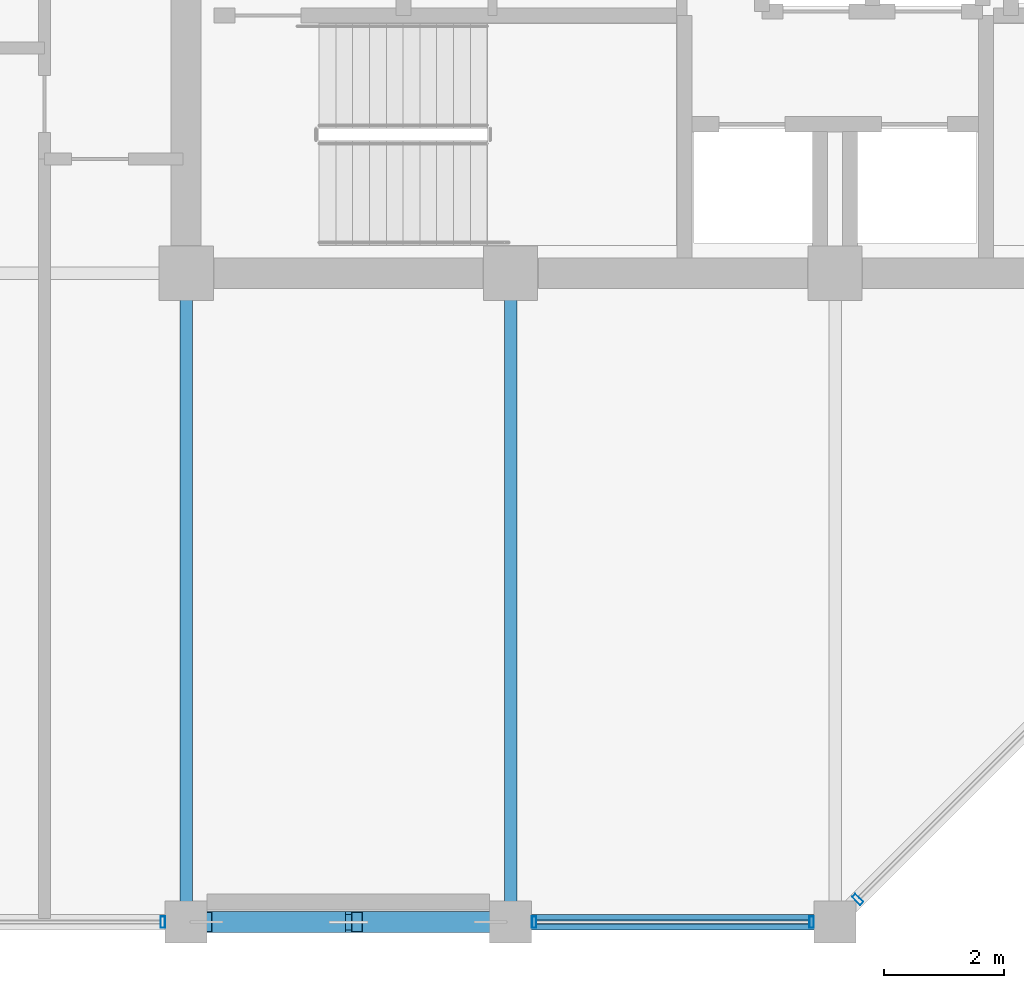
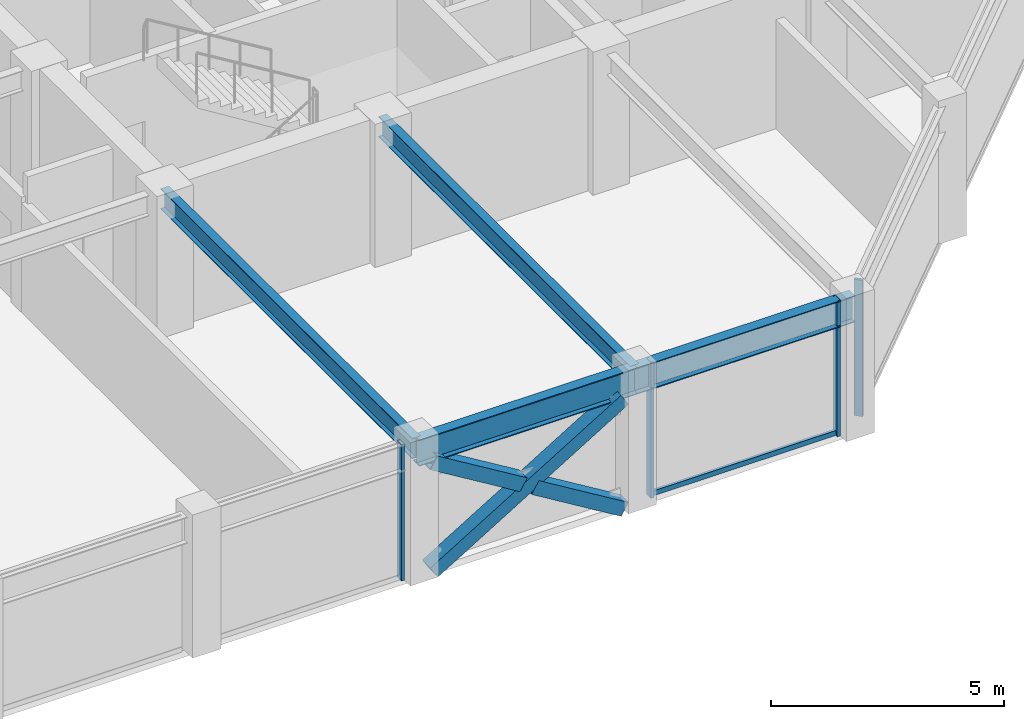
# One storey, part 6 of 30: 8 members, 4 beams, 3 elements without a shape of their own.
"""IFC4 building model written with IfcOpenShell, lengths in metres."""

from ifc_helpers import new_model, si_unit, direction, frame, origin, origin_2d, place, context, subcontext, project, spatial, hollow_rectangle, i_section, extrude, material, layer, layer_set, material_profile, profile_set, type_object, element, aggregate, save


model = new_model("IFC4")

# Units and contexts
model_context = context("Model", 3, precision=1e-05, world=origin(), true_north=direction((0.0, 1.0)))
body_context = subcontext(model_context, "Body", "Model", "MODEL_VIEW")
ifc_project = project(units=[si_unit("LENGTHUNIT", "METRE"), si_unit("AREAUNIT", "SQUARE_METRE"), si_unit("VOLUMEUNIT", "CUBIC_METRE"), si_unit("PLANEANGLEUNIT", "RADIAN"), si_unit("MASSUNIT", "GRAM", prefix="KILO")], contexts=[model_context])

# Site, building, storey
site_placement = place(None, origin())
site = spatial("IfcSite", under=ifc_project, at=site_placement, CompositionType="ELEMENT")
building_placement = place(site_placement, origin())
building = spatial("IfcBuilding", under=site, at=building_placement, Name="Surkhivell Harbour Commons", CompositionType="ELEMENT")
storey_placement = place(building_placement, frame((0.0, 0.0, 303.75)))
storey = spatial("IfcBuildingStorey", under=building, at=storey_placement, Name="L79", CompositionType="ELEMENT", Elevation=303.75)

# Beams
ifc_material_1 = material(Name="Steel S355", Category="steel")
ifc_material_profile_1 = material_profile(ifc_material_1, i_section(OverallWidth=0.2099609375, OverallDepth=0.537109375, WebThickness=0.0107421875, FlangeThickness=0.017333984375, at=origin_2d()), Name="UB533x210x101")
ifc_profile_set_1 = profile_set([ifc_material_profile_1], Name="Steel S355")
beam_type_1 = type_object("IfcBeamType", Name="BM-GRD-533B", PredefinedType="BEAM", material=ifc_profile_set_1)
for number, where, z_axis, x_axis, name in (
    (1, (-10.800048828125, -21.60009765625, 3.301513671875), (0.0, 1.0, 0.0), (-1.0, 0.0, 0.0), "L79 Floor Girder (-10.8,-21.6)"),
    (2, (-5.39990234375, -21.60009765625, 3.301513671875), (0.0, 1.0, 0.0), (-1.0, 0.0, 0.0), "L79 Floor Girder (-5.4,-21.6)"),
):
    element("IfcBeam", number, at=place(storey_placement, frame(where, z_axis=z_axis, x_axis=x_axis)), inside=storey, type_object=beam_type_1, Name=name, PredefinedType="BEAM", context=body_context, shape_type="SweptSolid", body=[
        extrude(i_section(OverallWidth=0.2099609375, OverallDepth=0.537109375, WebThickness=0.0107421875, FlangeThickness=0.017333984375, at=origin_2d()), origin(), (0.0, 0.0, 1.0), 10.800048828125),
    ])
ifc_material_profile_2 = material_profile(ifc_material_1, i_section(OverallWidth=0.256103515625, OverallDepth=0.693115234375, WebThickness=0.014404296875, FlangeThickness=0.023681640625, at=origin_2d()), Name="UB686x254x170")
ifc_profile_set_2 = profile_set([ifc_material_profile_2], Name="Steel S355")
beam_type_2 = type_object("IfcBeamType", Name="BM-SPN-686", PredefinedType="SPANDREL", material=ifc_profile_set_2)
beam_1_placement = place(storey_placement, frame((-10.800048828125, -21.60009765625, 3.223388671875), z_axis=(1.0, 0.0, 0.0), x_axis=(0.0, 1.0, 0.0)))
element("IfcBeam", 3, at=beam_1_placement, inside=storey, type_object=beam_type_2, Name="L79 Tube Spandrel (-10.8,-21.6)", PredefinedType="SPANDREL", context=body_context, shape_type="SweptSolid", body=[
    extrude(i_section(OverallWidth=0.256103515625, OverallDepth=0.693115234375, WebThickness=0.014404296875, FlangeThickness=0.023681640625, at=origin_2d()), origin(), (0.0, 0.0, 1.0), 5.400146484375),
])
beam_2_placement = place(storey_placement, frame((-5.39990234375, -21.60009765625, 3.223388671875), z_axis=(1.0, 0.0, 0.0), x_axis=(0.0, 1.0, 0.0)))
element("IfcBeam", 4, at=beam_2_placement, inside=storey, type_object=beam_type_2, Name="L79 Tube Spandrel (-5.4,-21.6)", PredefinedType="SPANDREL", context=body_context, shape_type="SweptSolid", body=[
    extrude(i_section(OverallWidth=0.256103515625, OverallDepth=0.693115234375, WebThickness=0.014404296875, FlangeThickness=0.023681640625, at=origin_2d()), origin(), (0.0, 0.0, 1.0), 5.39990234375),
])

# Curtain wall, member
ifc_material_2 = material(Name="Anodised pale-metal aluminium and insulated glazing", Category="aluminium")
ifc_layer = layer(ifc_material_2, 0.175048828125)
ifc_layer_set = layer_set([ifc_layer], Name="Anodised pale-metal aluminium and insulated glazing")
curtain_wall_type = type_object("IfcCurtainWallType", Name="CW-SYS-Z4", PredefinedType="NOTDEFINED", material=ifc_layer_set)
curtain_wall_1_placement = place(storey_placement, origin())
curtain_wall_1 = element("IfcCurtainWall", 5, at=curtain_wall_1_placement, inside=storey, type_object=curtain_wall_type, Name="L79 Curtain Wall CW-L79-E00S1", PredefinedType="NOTDEFINED")
ifc_material_3 = material(Name="Anodised pale-metal aluminium alloy 6063-T6", Category="aluminium")
ifc_material_profile_3 = material_profile(ifc_material_3, hollow_rectangle(XDim=0.074951171875, YDim=0.18994140625, WallThickness=0.00390625, at=origin_2d()), Name="ALU-MULL-75x190")
ifc_profile_set_3 = profile_set([ifc_material_profile_3], Name="Anodised pale-metal aluminium alloy 6063-T6")
member_type_1 = type_object("IfcMemberType", Name="CWM-190", PredefinedType="MULLION", material=ifc_profile_set_3)
member_1_placement = place(storey_placement, frame((-11.189453125, -21.60009765625, 0.0), z_axis=(0.0, 0.0, 1.0), x_axis=(1.0, 0.0, 0.0)))
member_1 = element("IfcMember", 6, at=member_1_placement, type_object=member_type_1, Name="CW-Z4 mullion 3", PredefinedType="MULLION", context=body_context, shape_type="SweptSolid", body=[
    extrude(hollow_rectangle(XDim=0.074951171875, YDim=0.18994140625, WallThickness=0.00390625, at=origin_2d()), origin(), (0.0, 0.0, 1.0), 3.570068359375),
])
aggregate(curtain_wall_1, [member_1])

# Curtain wall, members
curtain_wall_2_placement = place(storey_placement, origin())
curtain_wall_2 = element("IfcCurtainWall", 7, at=curtain_wall_2_placement, inside=storey, type_object=curtain_wall_type, Name="L79 Curtain Wall CW-L79-E00S2", PredefinedType="NOTDEFINED")
member_2_placement = place(storey_placement, frame((-5.010498046875, -21.60009765625, 0.0), z_axis=(0.0, 0.0, 1.0), x_axis=(1.0, 0.0, 0.0)))
member_2 = element("IfcMember", 8, at=member_2_placement, type_object=member_type_1, Name="CW-Z4 mullion 1", PredefinedType="MULLION", context=body_context, shape_type="SweptSolid", body=[
    extrude(hollow_rectangle(XDim=0.074951171875, YDim=0.18994140625, WallThickness=0.00390625, at=origin_2d()), origin(), (0.0, 0.0, 1.0), 3.570068359375),
])
member_3_placement = place(storey_placement, frame((-0.389404296875, -21.60009765625, 0.0), z_axis=(0.0, 0.0, 1.0), x_axis=(1.0, 0.0, 0.0)))
member_3 = element("IfcMember", 9, at=member_3_placement, type_object=member_type_1, Name="CW-Z4 mullion 2", PredefinedType="MULLION", context=body_context, shape_type="SweptSolid", body=[
    extrude(hollow_rectangle(XDim=0.074951171875, YDim=0.18994140625, WallThickness=0.00390625, at=origin_2d()), origin(), (0.0, 0.0, 1.0), 3.570068359375),
])

# Curtain wall, member
curtain_wall_3_placement = place(storey_placement, origin())
curtain_wall_3 = element("IfcCurtainWall", 10, at=curtain_wall_3_placement, inside=storey, type_object=curtain_wall_type, Name="L79 Curtain Wall CW-L79-E01", PredefinedType="NOTDEFINED")
member_4_placement = place(storey_placement, frame((0.378173828125, -21.221923828125, 0.0), z_axis=(0.0, 0.0, 1.0), x_axis=(0.707106781187, 0.707106781187, 0.0)))
member_4 = element("IfcMember", 11, at=member_4_placement, type_object=member_type_1, Name="CW-Z4 mullion 1", PredefinedType="MULLION", context=body_context, shape_type="SweptSolid", body=[
    extrude(hollow_rectangle(XDim=0.074951171875, YDim=0.18994140625, WallThickness=0.00390625, at=origin_2d()), origin(), (0.0, 0.0, 1.0), 3.570068359375),
])
aggregate(curtain_wall_3, [member_4])

# Member
ifc_material_4 = material(Name="Champagne anodised aluminium alloy 6063-T6", Category="aluminium")
ifc_material_profile_4 = material_profile(ifc_material_4, hollow_rectangle(XDim=0.070068359375, YDim=0.1298828125, WallThickness=0.00341796875, at=origin_2d()), Name="ALU-TRAN-70x130")
ifc_profile_set_4 = profile_set([ifc_material_profile_4], Name="Champagne anodised aluminium alloy 6063-T6")
member_type_2 = type_object("IfcMemberType", Name="CWT-130", PredefinedType="USERDEFINED", material=ifc_profile_set_4)
member_5_placement = place(storey_placement, frame((-4.972900390625, -21.60009765625, 0.06494140625), z_axis=(1.0, 0.0, 0.0), x_axis=(0.0, 1.0, 0.0)))
member_5 = element("IfcMember", 12, at=member_5_placement, type_object=member_type_2, Name="CW-Z4 transom 1.1", ObjectType="TRANSOM", PredefinedType="USERDEFINED", context=body_context, shape_type="SweptSolid", body=[
    extrude(hollow_rectangle(XDim=0.070068359375, YDim=0.1298828125, WallThickness=0.00341796875, at=origin_2d()), origin(), (0.0, 0.0, 1.0), 4.5458984375),
])

aggregate(curtain_wall_2, [member_2, member_3, member_5])

# Members
ifc_material_profile_5 = material_profile(ifc_material_1, hollow_rectangle(XDim=0.35009765625, YDim=0.35009765625, WallThickness=0.01611328125, at=origin_2d()), Name="SHS350x350x16")
ifc_profile_set_5 = profile_set([ifc_material_profile_5], Name="Steel S355")
member_type_3 = type_object("IfcMemberType", Name="MEM-BRC-SHS350", PredefinedType="BRACE", material=ifc_profile_set_5)
member_6_placement = place(storey_placement, frame((-10.465087890625, -21.60009765625, 0.008056640625), z_axis=(0.854685454322, 0.0, 0.519146197299), x_axis=(0.0, 1.0, 0.0)))
element("IfcMember", 13, at=member_6_placement, inside=storey, type_object=member_type_3, Name="L79 Perimeter Mega-Brace MB- 07", PredefinedType="BRACE", context=body_context, shape_type="SweptSolid", body=[
    extrude(hollow_rectangle(XDim=0.35009765625, YDim=0.35009765625, WallThickness=0.01611328125, at=origin_2d()), origin(), (0.0, 0.0, 1.0), 5.5341796875),
])
member_7_placement = place(storey_placement, frame((-5.735107421875, -21.60009765625, 0.008056640625), z_axis=(-0.854653538862, 0.0, 0.519198737007), x_axis=(0.0, -1.0, 0.0)))
element("IfcMember", 14, at=member_7_placement, inside=storey, type_object=member_type_3, Name="L79 Perimeter Mega-Brace MB- 08", PredefinedType="BRACE", context=body_context, shape_type="SweptSolid", body=[
    extrude(hollow_rectangle(XDim=0.35009765625, YDim=0.35009765625, WallThickness=0.01611328125, at=origin_2d()), origin(), (0.0, 0.0, 1.0), 2.598876953125),
])
member_8_placement = place(storey_placement, frame((-8.24365234375, -21.60009765625, 1.53173828125), z_axis=(-0.854678858595, 0.0, 0.51915705588), x_axis=(0.0, -1.0, 0.0)))
element("IfcMember", 15, at=member_8_placement, inside=storey, type_object=member_type_3, Name="L79 Perimeter Mega-Brace MB- 09", PredefinedType="BRACE", context=body_context, shape_type="SweptSolid", body=[
    extrude(hollow_rectangle(XDim=0.35009765625, YDim=0.35009765625, WallThickness=0.01611328125, at=origin_2d()), origin(), (0.0, 0.0, 1.0), 2.59912109375),
])

save(model, "model.ifc")
